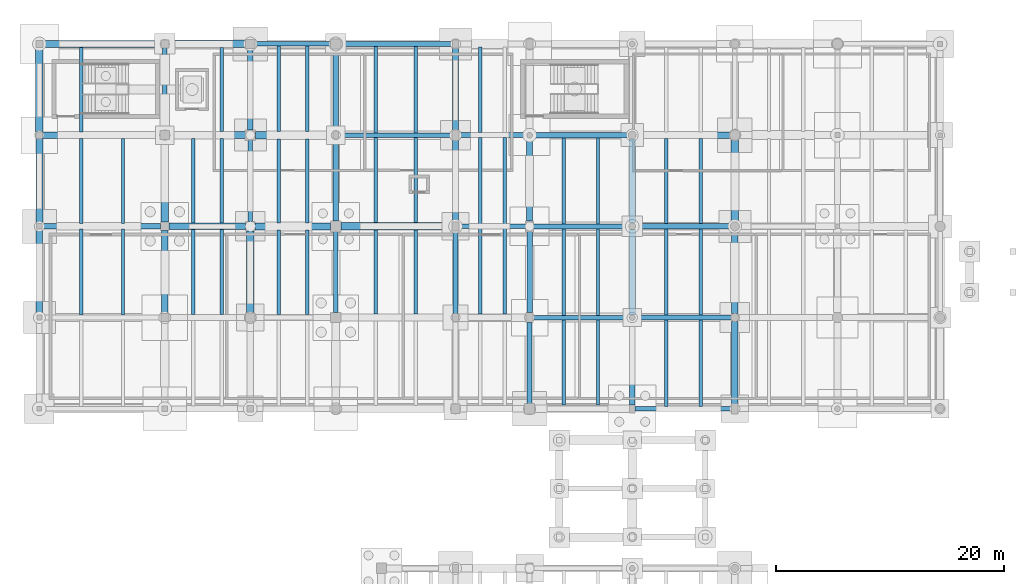
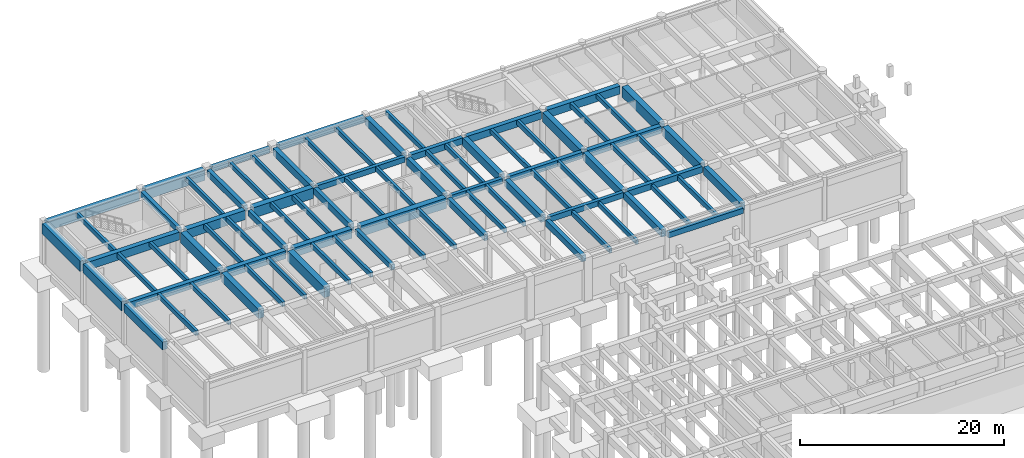
# One storey, part 24 of 36: 84 beams.
"""IFC4 building model written with IfcOpenShell, lengths in metres."""

from ifc_helpers import new_model, si_unit, direction, frame, origin, origin_2d, place, context, subcontext, project, spatial, rectangle, extrude, material, material_profile, profile_set, type_object, element, save


model = new_model("IFC4")

# Units and contexts
model_context = context("Model", 3, precision=1e-05, world=origin(), true_north=direction((0.0, 1.0)))
body_context = subcontext(model_context, "Body", "Model", "MODEL_VIEW")
ifc_project = project(units=[si_unit("LENGTHUNIT", "METRE"), si_unit("AREAUNIT", "SQUARE_METRE"), si_unit("VOLUMEUNIT", "CUBIC_METRE"), si_unit("PLANEANGLEUNIT", "RADIAN"), si_unit("MASSUNIT", "GRAM", prefix="KILO"), si_unit("THERMODYNAMICTEMPERATUREUNIT", "KELVIN"), si_unit("POWERUNIT", "WATT")], contexts=[model_context])

# Site, building, storey
site_placement = place(None, origin())
site = spatial("IfcSite", under=ifc_project, at=site_placement, CompositionType="ELEMENT")
building_placement = place(site_placement, origin())
building = spatial("IfcBuilding", under=site, at=building_placement, Name="Tepalcoro Natatorium and Aquatics Centre", CompositionType="ELEMENT")
storey_placement = place(building_placement, frame((0.0, 0.0, -5.199951171875)))
storey = spatial("IfcBuildingStorey", under=building, at=storey_placement, Name="B1", CompositionType="ELEMENT", Elevation=-5.199951171875)

# Beams
ifc_material = material(Name="Concrete C40/50 (fc 40 MPa)", Category="concrete")
ifc_material_profile_1 = material_profile(ifc_material, rectangle(XDim=0.39990234375, YDim=0.64990234375, at=origin_2d()), Name="RCB400x650")
ifc_profile_set_1 = profile_set([ifc_material_profile_1], Name="Concrete C40/50 (fc 40 MPa)")
beam_type_1 = type_object("IfcBeamType", Name="BM_RC_400x650", PredefinedType="BEAM", material=ifc_profile_set_1)
for number, where, z_axis, x_axis, name in (
    (1, (62.235107421875, 86.0, 4.43994140625), (1.0, 0.0, 0.0), (0.0, 1.0, 0.0), "V4 B1 Grid Girder X"),
    (2, (53.284912109375, 94.0, 4.599853515625), (1.0, 0.0, 0.0), (0.0, 1.0, 0.0), "V4 B1 Grid Girder X"),
):
    element("IfcBeam", number, at=place(storey_placement, frame(where, z_axis=z_axis, x_axis=x_axis)), inside=storey, type_object=beam_type_1, Name=name, PredefinedType="BEAM", context=body_context, shape_type="SweptSolid", body=[
        extrude(rectangle(XDim=0.39990234375, YDim=0.64990234375, at=origin_2d()), origin(), (0.0, 0.0, 1.0), 8.47998046875),
    ])
beam_1_placement = place(storey_placement, frame((46.784912109375, 102.0, 4.599853515625), z_axis=(1.0, 0.0, 0.0), x_axis=(0.0, 1.0, 0.0)))
element("IfcBeam", 3, at=beam_1_placement, inside=storey, type_object=beam_type_1, Name="V4 B1 Grid Girder X", PredefinedType="BEAM", context=body_context, shape_type="SweptSolid", body=[
    extrude(rectangle(XDim=0.39990234375, YDim=0.64990234375, at=origin_2d()), origin(), (0.0, 0.0, 1.0), 5.880126953125),
])
beam_2_placement = place(storey_placement, frame((36.235107421875, 110.0, 4.599853515625), z_axis=(1.0, 0.0, 0.0), x_axis=(0.0, 1.0, 0.0)))
element("IfcBeam", 4, at=beam_2_placement, inside=storey, type_object=beam_type_1, Name="V4 B1 Grid Girder X", PredefinedType="BEAM", context=body_context, shape_type="SweptSolid", body=[
    extrude(rectangle(XDim=0.39990234375, YDim=0.64990234375, at=origin_2d()), origin(), (0.0, 0.0, 1.0), 9.97998046875),
])
beam_3_placement = place(storey_placement, frame((28.885009765625, 118.0, 4.599853515625), z_axis=(1.0, 0.0, 0.0), x_axis=(0.0, 1.0, 0.0)))
element("IfcBeam", 5, at=beam_3_placement, inside=storey, type_object=beam_type_1, Name="V4 B1 Grid Girder X", PredefinedType="BEAM", context=body_context, shape_type="SweptSolid", body=[
    extrude(rectangle(XDim=0.39990234375, YDim=0.64990234375, at=origin_2d()), origin(), (0.0, 0.0, 1.0), 6.679931640625),
])
beam_4_placement = place(storey_placement, frame((21.0, 110.385009765625, 4.599853515625), z_axis=(0.0, 1.0, 0.0), x_axis=(-1.0, 0.0, 0.0)))
element("IfcBeam", 6, at=beam_4_placement, inside=storey, type_object=beam_type_1, Name="V4 B1 Grid Girder Y", PredefinedType="BEAM", context=body_context, shape_type="SweptSolid", body=[
    extrude(rectangle(XDim=0.39990234375, YDim=0.64990234375, at=origin_2d()), origin(), (0.0, 0.0, 1.0), 7.280029296875),
])
beam_5_placement = place(storey_placement, frame((28.5, 102.409912109375, 4.599853515625), z_axis=(0.0, 1.0, 0.0), x_axis=(-1.0, 0.0, 0.0)))
element("IfcBeam", 7, at=beam_5_placement, inside=storey, type_object=beam_type_1, Name="V4 B1 Grid Girder Y", PredefinedType="BEAM", context=body_context, shape_type="SweptSolid", body=[
    extrude(rectangle(XDim=0.39990234375, YDim=0.64990234375, at=origin_2d()), origin(), (0.0, 0.0, 1.0), 7.155029296875),
])
beam_6_placement = place(storey_placement, frame((36.0, 94.43505859375, 4.599853515625), z_axis=(0.0, 1.0, 0.0), x_axis=(-1.0, 0.0, 0.0)))
element("IfcBeam", 8, at=beam_6_placement, inside=storey, type_object=beam_type_1, Name="V4 B1 Grid Girder Y", PredefinedType="BEAM", context=body_context, shape_type="SweptSolid", body=[
    extrude(rectangle(XDim=0.39990234375, YDim=0.64990234375, at=origin_2d()), origin(), (0.0, 0.0, 1.0), 7.10498046875),
])
ifc_material_profile_2 = material_profile(ifc_material, rectangle(XDim=0.449951171875, YDim=0.75, at=origin_2d()), Name="RCB450x750")
ifc_profile_set_2 = profile_set([ifc_material_profile_2], Name="Concrete C40/50 (fc 40 MPa)")
beam_type_2 = type_object("IfcBeamType", Name="BM_RC_450x750", PredefinedType="BEAM", material=ifc_profile_set_2)
beam_7_placement = place(storey_placement, frame((62.235107421875, 94.0, 4.550048828125), z_axis=(1.0, 0.0, 0.0), x_axis=(0.0, 1.0, 0.0)))
element("IfcBeam", 9, at=beam_7_placement, inside=storey, type_object=beam_type_2, Name="V4 B1 Grid Girder X", PredefinedType="BEAM", context=body_context, shape_type="SweptSolid", body=[
    extrude(rectangle(XDim=0.449951171875, YDim=0.75, at=origin_2d()), origin(), (0.0, 0.0, 1.0), 8.429931640625),
])
beam_8_placement = place(storey_placement, frame((53.3349609375, 102.0, 4.550048828125), z_axis=(1.0, 0.0, 0.0), x_axis=(0.0, 1.0, 0.0)))
element("IfcBeam", 10, at=beam_8_placement, inside=storey, type_object=beam_type_2, Name="V4 B1 Grid Girder X", PredefinedType="BEAM", context=body_context, shape_type="SweptSolid", body=[
    extrude(rectangle(XDim=0.449951171875, YDim=0.75, at=origin_2d()), origin(), (0.0, 0.0, 1.0), 8.380126953125),
])
beam_9_placement = place(storey_placement, frame((46.784912109375, 110.0, 4.550048828125), z_axis=(1.0, 0.0, 0.0), x_axis=(0.0, 1.0, 0.0)))
element("IfcBeam", 11, at=beam_9_placement, inside=storey, type_object=beam_type_2, Name="V4 B1 Grid Girder X", PredefinedType="BEAM", context=body_context, shape_type="SweptSolid", body=[
    extrude(rectangle(XDim=0.449951171875, YDim=0.75, at=origin_2d()), origin(), (0.0, 0.0, 1.0), 5.97998046875),
])
beam_10_placement = place(storey_placement, frame((36.43505859375, 118.0, 4.550048828125), z_axis=(1.0, 0.0, 0.0), x_axis=(0.0, 1.0, 0.0)))
element("IfcBeam", 12, at=beam_10_placement, inside=storey, type_object=beam_type_2, Name="V4 B1 Grid Girder X", PredefinedType="BEAM", context=body_context, shape_type="SweptSolid", body=[
    extrude(rectangle(XDim=0.449951171875, YDim=0.75, at=origin_2d()), origin(), (0.0, 0.0, 1.0), 9.829833984375),
])
beam_11_placement = place(storey_placement, frame((28.5, 110.43505859375, 4.550048828125), z_axis=(0.0, 1.0, 0.0), x_axis=(-1.0, 0.0, 0.0)))
element("IfcBeam", 13, at=beam_11_placement, inside=storey, type_object=beam_type_2, Name="V4 B1 Grid Girder Y", PredefinedType="BEAM", context=body_context, shape_type="SweptSolid", body=[
    extrude(rectangle(XDim=0.449951171875, YDim=0.75, at=origin_2d()), origin(), (0.0, 0.0, 1.0), 7.179931640625),
])
beam_12_placement = place(storey_placement, frame((36.0, 102.4599609375, 4.550048828125), z_axis=(0.0, 1.0, 0.0), x_axis=(-1.0, 0.0, 0.0)))
element("IfcBeam", 14, at=beam_12_placement, inside=storey, type_object=beam_type_2, Name="V4 B1 Grid Girder Y", PredefinedType="BEAM", context=body_context, shape_type="SweptSolid", body=[
    extrude(rectangle(XDim=0.449951171875, YDim=0.75, at=origin_2d()), origin(), (0.0, 0.0, 1.0), 7.205078125),
])
beam_13_placement = place(storey_placement, frame((46.5, 94.3349609375, 4.550048828125), z_axis=(0.0, 1.0, 0.0), x_axis=(-1.0, 0.0, 0.0)))
element("IfcBeam", 15, at=beam_13_placement, inside=storey, type_object=beam_type_2, Name="V4 B1 Grid Girder Y", PredefinedType="BEAM", context=body_context, shape_type="SweptSolid", body=[
    extrude(rectangle(XDim=0.449951171875, YDim=0.75, at=origin_2d()), origin(), (0.0, 0.0, 1.0), 7.280029296875),
])
beam_14_placement = place(storey_placement, frame((53.0, 86.43505859375, 4.550048828125), z_axis=(0.0, 1.0, 0.0), x_axis=(-1.0, 0.0, 0.0)))
element("IfcBeam", 16, at=beam_14_placement, inside=storey, type_object=beam_type_2, Name="V4 B1 Grid Girder Y", PredefinedType="BEAM", context=body_context, shape_type="SweptSolid", body=[
    extrude(rectangle(XDim=0.449951171875, YDim=0.75, at=origin_2d()), origin(), (0.0, 0.0, 1.0), 7.1298828125),
])
ifc_material_profile_3 = material_profile(ifc_material, rectangle(XDim=0.5, YDim=0.85009765625, at=origin_2d()), Name="RCB500x850")
ifc_profile_set_3 = profile_set([ifc_material_profile_3], Name="Concrete C40/50 (fc 40 MPa)")
beam_type_3 = type_object("IfcBeamType", Name="BM_RC_500x850", PredefinedType="BEAM", material=ifc_profile_set_3)
beam_15_placement = place(storey_placement, frame((10.235107421875, 102.0, 4.5), z_axis=(1.0, 0.0, 0.0), x_axis=(0.0, 1.0, 0.0)))
element("IfcBeam", 17, at=beam_15_placement, inside=storey, type_object=beam_type_3, Name="V4 B1 Grid Girder X", PredefinedType="BEAM", context=body_context, shape_type="SweptSolid", body=[
    extrude(rectangle(XDim=0.5, YDim=0.85009765625, at=origin_2d()), origin(), (0.0, 0.0, 1.0), 10.40478515625),
])
beam_16_placement = place(storey_placement, frame((62.284912109375, 102.0, 4.5), z_axis=(1.0, 0.0, 0.0), x_axis=(0.0, 1.0, 0.0)))
element("IfcBeam", 18, at=beam_16_placement, inside=storey, type_object=beam_type_3, Name="V4 B1 Grid Girder X", PredefinedType="BEAM", context=body_context, shape_type="SweptSolid", body=[
    extrude(rectangle(XDim=0.5, YDim=0.85009765625, at=origin_2d()), origin(), (0.0, 0.0, 1.0), 8.330078125),
])
beam_17_placement = place(storey_placement, frame((53.235107421875, 110.0, 4.5), z_axis=(1.0, 0.0, 0.0), x_axis=(0.0, 1.0, 0.0)))
element("IfcBeam", 19, at=beam_17_placement, inside=storey, type_object=beam_type_3, Name="V4 B1 Grid Girder X", PredefinedType="BEAM", context=body_context, shape_type="SweptSolid", body=[
    extrude(rectangle(XDim=0.5, YDim=0.85009765625, at=origin_2d()), origin(), (0.0, 0.0, 1.0), 8.429931640625),
])
beam_18_placement = place(storey_placement, frame((36.0, 110.3349609375, 4.5), z_axis=(0.0, 1.0, 0.0), x_axis=(-1.0, 0.0, 0.0)))
element("IfcBeam", 20, at=beam_18_placement, inside=storey, type_object=beam_type_3, Name="V4 B1 Grid Girder Y", PredefinedType="BEAM", context=body_context, shape_type="SweptSolid", body=[
    extrude(rectangle(XDim=0.5, YDim=0.85009765625, at=origin_2d()), origin(), (0.0, 0.0, 1.0), 7.22998046875),
])
beam_19_placement = place(storey_placement, frame((46.5, 102.385009765625, 4.5), z_axis=(0.0, 1.0, 0.0), x_axis=(-1.0, 0.0, 0.0)))
element("IfcBeam", 21, at=beam_19_placement, inside=storey, type_object=beam_type_3, Name="V4 B1 Grid Girder Y", PredefinedType="BEAM", context=body_context, shape_type="SweptSolid", body=[
    extrude(rectangle(XDim=0.5, YDim=0.85009765625, at=origin_2d()), origin(), (0.0, 0.0, 1.0), 7.179931640625),
])
beam_20_placement = place(storey_placement, frame((53.0, 94.43505859375, 4.5), z_axis=(0.0, 1.0, 0.0), x_axis=(-1.0, 0.0, 0.0)))
element("IfcBeam", 22, at=beam_20_placement, inside=storey, type_object=beam_type_3, Name="V4 B1 Grid Girder Y", PredefinedType="BEAM", context=body_context, shape_type="SweptSolid", body=[
    extrude(rectangle(XDim=0.5, YDim=0.85009765625, at=origin_2d()), origin(), (0.0, 0.0, 1.0), 7.10498046875),
])
beam_21_placement = place(storey_placement, frame((62.0, 86.3349609375, 4.5), z_axis=(0.0, 1.0, 0.0), x_axis=(-1.0, 0.0, 0.0)))
element("IfcBeam", 23, at=beam_21_placement, inside=storey, type_object=beam_type_3, Name="V4 B1 Grid Girder Y", PredefinedType="BEAM", context=body_context, shape_type="SweptSolid", body=[
    extrude(rectangle(XDim=0.5, YDim=0.85009765625, at=origin_2d()), origin(), (0.0, 0.0, 1.0), 7.429931640625),
])
ifc_material_profile_4 = material_profile(ifc_material, rectangle(XDim=0.550048828125, YDim=0.949951171875, at=origin_2d()), Name="RCB550x950")
ifc_profile_set_4 = profile_set([ifc_material_profile_4], Name="Concrete C40/50 (fc 40 MPa)")
beam_type_4 = type_object("IfcBeamType", Name="BM_RC_550x950", PredefinedType="BEAM", material=ifc_profile_set_4)
beam_22_placement = place(storey_placement, frame((21.360107421875, 102.0, 4.449951171875), z_axis=(1.0, 0.0, 0.0), x_axis=(0.0, 1.0, 0.0)))
element("IfcBeam", 24, at=beam_22_placement, inside=storey, type_object=beam_type_4, Name="V4 B1 Grid Girder X", PredefinedType="BEAM", context=body_context, shape_type="SweptSolid", body=[
    extrude(rectangle(XDim=0.550048828125, YDim=0.949951171875, at=origin_2d()), origin(), (0.0, 0.0, 1.0), 6.72998046875),
])
beam_23_placement = place(storey_placement, frame((10.260009765625, 110.0, 4.449951171875), z_axis=(1.0, 0.0, 0.0), x_axis=(0.0, 1.0, 0.0)))
element("IfcBeam", 25, at=beam_23_placement, inside=storey, type_object=beam_type_4, Name="V4 B1 Grid Girder X", PredefinedType="BEAM", context=body_context, shape_type="SweptSolid", body=[
    extrude(rectangle(XDim=0.550048828125, YDim=0.949951171875, at=origin_2d()), origin(), (0.0, 0.0, 1.0), 10.35498046875),
])
beam_24_placement = place(storey_placement, frame((62.3349609375, 110.0, 4.449951171875), z_axis=(1.0, 0.0, 0.0), x_axis=(0.0, 1.0, 0.0)))
element("IfcBeam", 26, at=beam_24_placement, inside=storey, type_object=beam_type_4, Name="V4 B1 Grid Girder X", PredefinedType="BEAM", context=body_context, shape_type="SweptSolid", body=[
    extrude(rectangle(XDim=0.550048828125, YDim=0.949951171875, at=origin_2d()), origin(), (0.0, 0.0, 1.0), 8.22998046875),
])
beam_25_placement = place(storey_placement, frame((10.0, 94.2099609375, 4.449951171875), z_axis=(0.0, 1.0, 0.0), x_axis=(-1.0, 0.0, 0.0)))
element("IfcBeam", 27, at=beam_25_placement, inside=storey, type_object=beam_type_4, Name="V4 B1 Grid Girder Y", PredefinedType="BEAM", context=body_context, shape_type="SweptSolid", body=[
    extrude(rectangle(XDim=0.550048828125, YDim=0.949951171875, at=origin_2d()), origin(), (0.0, 0.0, 1.0), 7.554931640625),
])
beam_26_placement = place(storey_placement, frame((46.5, 110.43505859375, 4.449951171875), z_axis=(0.0, 1.0, 0.0), x_axis=(-1.0, 0.0, 0.0)))
element("IfcBeam", 28, at=beam_26_placement, inside=storey, type_object=beam_type_4, Name="V4 B1 Grid Girder Y", PredefinedType="BEAM", context=body_context, shape_type="SweptSolid", body=[
    extrude(rectangle(XDim=0.550048828125, YDim=0.949951171875, at=origin_2d()), origin(), (0.0, 0.0, 1.0), 7.22998046875),
])
beam_27_placement = place(storey_placement, frame((53.0, 102.4599609375, 4.449951171875), z_axis=(0.0, 1.0, 0.0), x_axis=(-1.0, 0.0, 0.0)))
element("IfcBeam", 29, at=beam_27_placement, inside=storey, type_object=beam_type_4, Name="V4 B1 Grid Girder Y", PredefinedType="BEAM", context=body_context, shape_type="SweptSolid", body=[
    extrude(rectangle(XDim=0.550048828125, YDim=0.949951171875, at=origin_2d()), origin(), (0.0, 0.0, 1.0), 7.304931640625),
])
beam_28_placement = place(storey_placement, frame((62.0, 94.235107421875, 4.449951171875), z_axis=(0.0, 1.0, 0.0), x_axis=(-1.0, 0.0, 0.0)))
element("IfcBeam", 30, at=beam_28_placement, inside=storey, type_object=beam_type_4, Name="V4 B1 Grid Girder Y", PredefinedType="BEAM", context=body_context, shape_type="SweptSolid", body=[
    extrude(rectangle(XDim=0.550048828125, YDim=0.949951171875, at=origin_2d()), origin(), (0.0, 0.0, 1.0), 7.47998046875),
])
beam_29_placement = place(storey_placement, frame((71.0, 86.43505859375, 4.449951171875), z_axis=(0.0, 1.0, 0.0), x_axis=(-1.0, 0.0, 0.0)))
element("IfcBeam", 31, at=beam_29_placement, inside=storey, type_object=beam_type_4, Name="V4 B1 Grid Girder Y", PredefinedType="BEAM", context=body_context, shape_type="SweptSolid", body=[
    extrude(rectangle(XDim=0.550048828125, YDim=0.949951171875, at=origin_2d()), origin(), (0.0, 0.0, 1.0), 7.22998046875),
])
ifc_material_profile_5 = material_profile(ifc_material, rectangle(XDim=0.60009765625, YDim=1.10009765625, at=origin_2d()), Name="RCB600x1100")
ifc_profile_set_5 = profile_set([ifc_material_profile_5], Name="Concrete C40/50 (fc 40 MPa)")
beam_type_5 = type_object("IfcBeamType", Name="BM_RC_600x1100", PredefinedType="BEAM", material=ifc_profile_set_5)
beam_30_placement = place(storey_placement, frame((28.909912109375, 102.0, 4.375), z_axis=(1.0, 0.0, 0.0), x_axis=(0.0, 1.0, 0.0)))
element("IfcBeam", 32, at=beam_30_placement, inside=storey, type_object=beam_type_5, Name="V4 B1 Grid Girder X", PredefinedType="BEAM", context=body_context, shape_type="SweptSolid", body=[
    extrude(rectangle(XDim=0.60009765625, YDim=1.10009765625, at=origin_2d()), origin(), (0.0, 0.0, 1.0), 6.630126953125),
])
beam_31_placement = place(storey_placement, frame((21.385009765625, 110.0, 4.375), z_axis=(1.0, 0.0, 0.0), x_axis=(0.0, 1.0, 0.0)))
element("IfcBeam", 33, at=beam_31_placement, inside=storey, type_object=beam_type_5, Name="V4 B1 Grid Girder X", PredefinedType="BEAM", context=body_context, shape_type="SweptSolid", body=[
    extrude(rectangle(XDim=0.60009765625, YDim=1.10009765625, at=origin_2d()), origin(), (0.0, 0.0, 1.0), 6.679931640625),
])
beam_32_placement = place(storey_placement, frame((10.284912109375, 118.0, 4.375), z_axis=(1.0, 0.0, 0.0), x_axis=(0.0, 1.0, 0.0)))
element("IfcBeam", 34, at=beam_32_placement, inside=storey, type_object=beam_type_5, Name="V4 B1 Grid Girder X", PredefinedType="BEAM", context=body_context, shape_type="SweptSolid", body=[
    extrude(rectangle(XDim=0.60009765625, YDim=1.10009765625, at=origin_2d()), origin(), (0.0, 0.0, 1.0), 10.380126953125),
])
beam_33_placement = place(storey_placement, frame((10.0, 102.235107421875, 4.375), z_axis=(0.0, 1.0, 0.0), x_axis=(-1.0, 0.0, 0.0)))
element("IfcBeam", 35, at=beam_33_placement, inside=storey, type_object=beam_type_5, Name="V4 B1 Grid Girder Y", PredefinedType="BEAM", context=body_context, shape_type="SweptSolid", body=[
    extrude(rectangle(XDim=0.60009765625, YDim=1.10009765625, at=origin_2d()), origin(), (0.0, 0.0, 1.0), 7.5048828125),
])
beam_34_placement = place(storey_placement, frame((21.0, 94.3349609375, 4.375), z_axis=(0.0, 1.0, 0.0), x_axis=(-1.0, 0.0, 0.0)))
element("IfcBeam", 36, at=beam_34_placement, inside=storey, type_object=beam_type_5, Name="V4 B1 Grid Girder Y", PredefinedType="BEAM", context=body_context, shape_type="SweptSolid", body=[
    extrude(rectangle(XDim=0.60009765625, YDim=1.10009765625, at=origin_2d()), origin(), (0.0, 0.0, 1.0), 7.304931640625),
])
beam_35_placement = place(storey_placement, frame((62.0, 102.284912109375, 4.375), z_axis=(0.0, 1.0, 0.0), x_axis=(-1.0, 0.0, 0.0)))
element("IfcBeam", 37, at=beam_35_placement, inside=storey, type_object=beam_type_5, Name="V4 B1 Grid Girder Y", PredefinedType="BEAM", context=body_context, shape_type="SweptSolid", body=[
    extrude(rectangle(XDim=0.60009765625, YDim=1.10009765625, at=origin_2d()), origin(), (0.0, 0.0, 1.0), 7.380126953125),
])
beam_36_placement = place(storey_placement, frame((71.0, 94.3349609375, 4.375), z_axis=(0.0, 1.0, 0.0), x_axis=(-1.0, 0.0, 0.0)))
element("IfcBeam", 38, at=beam_36_placement, inside=storey, type_object=beam_type_5, Name="V4 B1 Grid Girder Y", PredefinedType="BEAM", context=body_context, shape_type="SweptSolid", body=[
    extrude(rectangle(XDim=0.60009765625, YDim=1.10009765625, at=origin_2d()), origin(), (0.0, 0.0, 1.0), 7.280029296875),
])
ifc_material_profile_6 = material_profile(ifc_material, rectangle(XDim=0.64990234375, YDim=1.25, at=origin_2d()), Name="RCB650x1250")
ifc_profile_set_6 = profile_set([ifc_material_profile_6], Name="Concrete C40/50 (fc 40 MPa)")
beam_type_6 = type_object("IfcBeamType", Name="BM_RC_650x1250", PredefinedType="BEAM", material=ifc_profile_set_6)
beam_37_placement = place(storey_placement, frame((36.4599609375, 102.0, 4.300048828125), z_axis=(1.0, 0.0, 0.0), x_axis=(0.0, 1.0, 0.0)))
element("IfcBeam", 39, at=beam_37_placement, inside=storey, type_object=beam_type_6, Name="V4 B1 Grid Girder X", PredefinedType="BEAM", context=body_context, shape_type="SweptSolid", body=[
    extrude(rectangle(XDim=0.64990234375, YDim=1.25, at=origin_2d()), origin(), (0.0, 0.0, 1.0), 9.755126953125),
])
beam_38_placement = place(storey_placement, frame((28.93505859375, 110.0, 4.300048828125), z_axis=(1.0, 0.0, 0.0), x_axis=(0.0, 1.0, 0.0)))
element("IfcBeam", 40, at=beam_38_placement, inside=storey, type_object=beam_type_6, Name="V4 B1 Grid Girder X", PredefinedType="BEAM", context=body_context, shape_type="SweptSolid", body=[
    extrude(rectangle(XDim=0.64990234375, YDim=1.25, at=origin_2d()), origin(), (0.0, 0.0, 1.0), 6.829833984375),
])
beam_39_placement = place(storey_placement, frame((21.3349609375, 118.0, 4.300048828125), z_axis=(1.0, 0.0, 0.0), x_axis=(0.0, 1.0, 0.0)))
element("IfcBeam", 41, at=beam_39_placement, inside=storey, type_object=beam_type_6, Name="V4 B1 Grid Girder X", PredefinedType="BEAM", context=body_context, shape_type="SweptSolid", body=[
    extrude(rectangle(XDim=0.64990234375, YDim=1.25, at=origin_2d()), origin(), (0.0, 0.0, 1.0), 6.780029296875),
])
beam_40_placement = place(storey_placement, frame((10.0, 110.260009765625, 4.300048828125), z_axis=(0.0, 1.0, 0.0), x_axis=(-1.0, 0.0, 0.0)))
element("IfcBeam", 42, at=beam_40_placement, inside=storey, type_object=beam_type_6, Name="V4 B1 Grid Girder Y", PredefinedType="BEAM", context=body_context, shape_type="SweptSolid", body=[
    extrude(rectangle(XDim=0.64990234375, YDim=1.25, at=origin_2d()), origin(), (0.0, 0.0, 1.0), 7.455078125),
])
beam_41_placement = place(storey_placement, frame((21.0, 102.360107421875, 4.300048828125), z_axis=(0.0, 1.0, 0.0), x_axis=(-1.0, 0.0, 0.0)))
element("IfcBeam", 43, at=beam_41_placement, inside=storey, type_object=beam_type_6, Name="V4 B1 Grid Girder Y", PredefinedType="BEAM", context=body_context, shape_type="SweptSolid", body=[
    extrude(rectangle(XDim=0.64990234375, YDim=1.25, at=origin_2d()), origin(), (0.0, 0.0, 1.0), 7.2548828125),
])
beam_42_placement = place(storey_placement, frame((28.5, 94.385009765625, 4.300048828125), z_axis=(0.0, 1.0, 0.0), x_axis=(-1.0, 0.0, 0.0)))
element("IfcBeam", 44, at=beam_42_placement, inside=storey, type_object=beam_type_6, Name="V4 B1 Grid Girder Y", PredefinedType="BEAM", context=body_context, shape_type="SweptSolid", body=[
    extrude(rectangle(XDim=0.64990234375, YDim=1.25, at=origin_2d()), origin(), (0.0, 0.0, 1.0), 7.205078125),
])
beam_43_placement = place(storey_placement, frame((71.0, 102.385009765625, 4.300048828125), z_axis=(0.0, 1.0, 0.0), x_axis=(-1.0, 0.0, 0.0)))
element("IfcBeam", 45, at=beam_43_placement, inside=storey, type_object=beam_type_6, Name="V4 B1 Grid Girder Y", PredefinedType="BEAM", context=body_context, shape_type="SweptSolid", body=[
    extrude(rectangle(XDim=0.64990234375, YDim=1.25, at=origin_2d()), origin(), (0.0, 0.0, 1.0), 7.179931640625),
])
ifc_material_profile_7 = material_profile(ifc_material, rectangle(XDim=0.300048828125, YDim=0.550048828125, at=origin_2d()), Name="RCJ300x550")
ifc_profile_set_7 = profile_set([ifc_material_profile_7], Name="Concrete C40/50 (fc 40 MPa)")
beam_type_7 = type_object("IfcBeamType", Name="JS_RC_300x550", PredefinedType="JOIST", material=ifc_profile_set_7)
for number, where, z_axis, x_axis, name in (
    (46, (13.666748046875, 94.22509765625, 4.64990234375), (0.0, 1.0, 0.0), (-1.0, 0.0, 0.0), "V4 B1 Floor Joist"),
    (47, (17.333251953125, 94.22509765625, 4.64990234375), (0.0, 1.0, 0.0), (-1.0, 0.0, 0.0), "V4 B1 Floor Joist"),
):
    element("IfcBeam", number, at=place(storey_placement, frame(where, z_axis=z_axis, x_axis=x_axis)), inside=storey, type_object=beam_type_7, Name=name, PredefinedType="JOIST", context=body_context, shape_type="SweptSolid", body=[
        extrude(rectangle(XDim=0.300048828125, YDim=0.550048828125, at=origin_2d()), origin(), (0.0, 0.0, 1.0), 7.52490234375),
    ])
for number, where, z_axis, x_axis, name in (
    (48, (13.666748046875, 102.25, 4.64990234375), (0.0, 1.0, 0.0), (-1.0, 0.0, 0.0), "V4 B1 Floor Joist"),
    (49, (17.333251953125, 102.25, 4.64990234375), (0.0, 1.0, 0.0), (-1.0, 0.0, 0.0), "V4 B1 Floor Joist"),
):
    element("IfcBeam", number, at=place(storey_placement, frame(where, z_axis=z_axis, x_axis=x_axis)), inside=storey, type_object=beam_type_7, Name=name, PredefinedType="JOIST", context=body_context, shape_type="SweptSolid", body=[
        extrude(rectangle(XDim=0.300048828125, YDim=0.550048828125, at=origin_2d()), origin(), (0.0, 0.0, 1.0), 7.47509765625),
    ])
beam_44_placement = place(storey_placement, frame((13.666748046875, 110.27490234375, 4.64990234375), z_axis=(0.0, 1.0, 0.0), x_axis=(-1.0, 0.0, 0.0)))
element("IfcBeam", 50, at=beam_44_placement, inside=storey, type_object=beam_type_7, Name="V4 B1 Floor Joist", PredefinedType="JOIST", context=body_context, shape_type="SweptSolid", body=[
    extrude(rectangle(XDim=0.300048828125, YDim=0.550048828125, at=origin_2d()), origin(), (0.0, 0.0, 1.0), 7.425048828125),
])
for number, where, z_axis, x_axis, name in (
    (51, (23.5, 94.25, 4.64990234375), (0.0, 1.0, 0.0), (-1.0, 0.0, 0.0), "V4 B1 Floor Joist"),
    (52, (26.0, 94.25, 4.64990234375), (0.0, 1.0, 0.0), (-1.0, 0.0, 0.0), "V4 B1 Floor Joist"),
):
    element("IfcBeam", number, at=place(storey_placement, frame(where, z_axis=z_axis, x_axis=x_axis)), inside=storey, type_object=beam_type_7, Name=name, PredefinedType="JOIST", context=body_context, shape_type="SweptSolid", body=[
        extrude(rectangle(XDim=0.300048828125, YDim=0.550048828125, at=origin_2d()), origin(), (0.0, 0.0, 1.0), 7.47509765625),
    ])
for number, where, z_axis, x_axis, name in (
    (53, (23.5, 102.27490234375, 4.64990234375), (0.0, 1.0, 0.0), (-1.0, 0.0, 0.0), "V4 B1 Floor Joist"),
    (54, (26.0, 102.27490234375, 4.64990234375), (0.0, 1.0, 0.0), (-1.0, 0.0, 0.0), "V4 B1 Floor Joist"),
):
    element("IfcBeam", number, at=place(storey_placement, frame(where, z_axis=z_axis, x_axis=x_axis)), inside=storey, type_object=beam_type_7, Name=name, PredefinedType="JOIST", context=body_context, shape_type="SweptSolid", body=[
        extrude(rectangle(XDim=0.300048828125, YDim=0.550048828125, at=origin_2d()), origin(), (0.0, 0.0, 1.0), 7.425048828125),
    ])
beam_45_placement = place(storey_placement, frame((26.0, 110.300048828125, 4.64990234375), z_axis=(0.0, 1.0, 0.0), x_axis=(-1.0, 0.0, 0.0)))
element("IfcBeam", 55, at=beam_45_placement, inside=storey, type_object=beam_type_7, Name="V4 B1 Floor Joist", PredefinedType="JOIST", context=body_context, shape_type="SweptSolid", body=[
    extrude(rectangle(XDim=0.300048828125, YDim=0.550048828125, at=origin_2d()), origin(), (0.0, 0.0, 1.0), 7.375),
])
for number, where, z_axis, x_axis, name in (
    (56, (31.0, 94.27490234375, 4.64990234375), (0.0, 1.0, 0.0), (-1.0, 0.0, 0.0), "V4 B1 Floor Joist"),
    (57, (33.5, 94.27490234375, 4.64990234375), (0.0, 1.0, 0.0), (-1.0, 0.0, 0.0), "V4 B1 Floor Joist"),
):
    element("IfcBeam", number, at=place(storey_placement, frame(where, z_axis=z_axis, x_axis=x_axis)), inside=storey, type_object=beam_type_7, Name=name, PredefinedType="JOIST", context=body_context, shape_type="SweptSolid", body=[
        extrude(rectangle(XDim=0.300048828125, YDim=0.550048828125, at=origin_2d()), origin(), (0.0, 0.0, 1.0), 7.425048828125),
    ])
for number, where, z_axis, x_axis, name in (
    (58, (31.0, 102.300048828125, 4.64990234375), (0.0, 1.0, 0.0), (-1.0, 0.0, 0.0), "V4 B1 Floor Joist"),
    (59, (33.5, 102.300048828125, 4.64990234375), (0.0, 1.0, 0.0), (-1.0, 0.0, 0.0), "V4 B1 Floor Joist"),
):
    element("IfcBeam", number, at=place(storey_placement, frame(where, z_axis=z_axis, x_axis=x_axis)), inside=storey, type_object=beam_type_7, Name=name, PredefinedType="JOIST", context=body_context, shape_type="SweptSolid", body=[
        extrude(rectangle(XDim=0.300048828125, YDim=0.550048828125, at=origin_2d()), origin(), (0.0, 0.0, 1.0), 7.375),
    ])
for number, where, z_axis, x_axis, name in (
    (60, (31.0, 110.324951171875, 4.64990234375), (0.0, 1.0, 0.0), (-1.0, 0.0, 0.0), "V4 B1 Floor Joist"),
    (61, (33.5, 110.324951171875, 4.64990234375), (0.0, 1.0, 0.0), (-1.0, 0.0, 0.0), "V4 B1 Floor Joist"),
):
    element("IfcBeam", number, at=place(storey_placement, frame(where, z_axis=z_axis, x_axis=x_axis)), inside=storey, type_object=beam_type_7, Name=name, PredefinedType="JOIST", context=body_context, shape_type="SweptSolid", body=[
        extrude(rectangle(XDim=0.300048828125, YDim=0.550048828125, at=origin_2d()), origin(), (0.0, 0.0, 1.0), 7.47509765625),
    ])
for number, where, z_axis, x_axis, name in (
    (62, (39.5, 94.300048828125, 4.64990234375), (0.0, 1.0, 0.0), (-1.0, 0.0, 0.0), "V4 B1 Floor Joist"),
    (63, (43.0, 94.300048828125, 4.64990234375), (0.0, 1.0, 0.0), (-1.0, 0.0, 0.0), "V4 B1 Floor Joist"),
):
    element("IfcBeam", number, at=place(storey_placement, frame(where, z_axis=z_axis, x_axis=x_axis)), inside=storey, type_object=beam_type_7, Name=name, PredefinedType="JOIST", context=body_context, shape_type="SweptSolid", body=[
        extrude(rectangle(XDim=0.300048828125, YDim=0.550048828125, at=origin_2d()), origin(), (0.0, 0.0, 1.0), 7.375),
    ])
for number, where, z_axis, x_axis, name in (
    (64, (39.5, 102.324951171875, 4.64990234375), (0.0, 1.0, 0.0), (-1.0, 0.0, 0.0), "V4 B1 Floor Joist"),
    (65, (43.0, 102.324951171875, 4.64990234375), (0.0, 1.0, 0.0), (-1.0, 0.0, 0.0), "V4 B1 Floor Joist"),
):
    element("IfcBeam", number, at=place(storey_placement, frame(where, z_axis=z_axis, x_axis=x_axis)), inside=storey, type_object=beam_type_7, Name=name, PredefinedType="JOIST", context=body_context, shape_type="SweptSolid", body=[
        extrude(rectangle(XDim=0.300048828125, YDim=0.550048828125, at=origin_2d()), origin(), (0.0, 0.0, 1.0), 7.47509765625),
    ])
for number, where, z_axis, x_axis, name in (
    (66, (39.5, 110.199951171875, 4.64990234375), (0.0, 1.0, 0.0), (-1.0, 0.0, 0.0), "V4 B1 Floor Joist"),
    (67, (43.0, 110.199951171875, 4.64990234375), (0.0, 1.0, 0.0), (-1.0, 0.0, 0.0), "V4 B1 Floor Joist"),
):
    element("IfcBeam", number, at=place(storey_placement, frame(where, z_axis=z_axis, x_axis=x_axis)), inside=storey, type_object=beam_type_7, Name=name, PredefinedType="JOIST", context=body_context, shape_type="SweptSolid", body=[
        extrude(rectangle(XDim=0.300048828125, YDim=0.550048828125, at=origin_2d()), origin(), (0.0, 0.0, 1.0), 7.574951171875),
    ])
for number, where, z_axis, x_axis, name in (
    (68, (48.666748046875, 94.324951171875, 4.64990234375), (0.0, 1.0, 0.0), (-1.0, 0.0, 0.0), "V4 B1 Floor Joist"),
    (69, (50.833251953125, 94.324951171875, 4.64990234375), (0.0, 1.0, 0.0), (-1.0, 0.0, 0.0), "V4 B1 Floor Joist"),
):
    element("IfcBeam", number, at=place(storey_placement, frame(where, z_axis=z_axis, x_axis=x_axis)), inside=storey, type_object=beam_type_7, Name=name, PredefinedType="JOIST", context=body_context, shape_type="SweptSolid", body=[
        extrude(rectangle(XDim=0.300048828125, YDim=0.550048828125, at=origin_2d()), origin(), (0.0, 0.0, 1.0), 7.47509765625),
    ])
for number, where, z_axis, x_axis, name in (
    (70, (48.666748046875, 102.199951171875, 4.64990234375), (0.0, 1.0, 0.0), (-1.0, 0.0, 0.0), "V4 B1 Floor Joist"),
    (71, (50.833251953125, 102.199951171875, 4.64990234375), (0.0, 1.0, 0.0), (-1.0, 0.0, 0.0), "V4 B1 Floor Joist"),
):
    element("IfcBeam", number, at=place(storey_placement, frame(where, z_axis=z_axis, x_axis=x_axis)), inside=storey, type_object=beam_type_7, Name=name, PredefinedType="JOIST", context=body_context, shape_type="SweptSolid", body=[
        extrude(rectangle(XDim=0.300048828125, YDim=0.550048828125, at=origin_2d()), origin(), (0.0, 0.0, 1.0), 7.574951171875),
    ])
beam_46_placement = place(storey_placement, frame((48.666748046875, 110.22509765625, 4.64990234375), z_axis=(0.0, 1.0, 0.0), x_axis=(-1.0, 0.0, 0.0)))
element("IfcBeam", 72, at=beam_46_placement, inside=storey, type_object=beam_type_7, Name="V4 B1 Floor Joist", PredefinedType="JOIST", context=body_context, shape_type="SweptSolid", body=[
    extrude(rectangle(XDim=0.300048828125, YDim=0.550048828125, at=origin_2d()), origin(), (0.0, 0.0, 1.0), 7.52490234375),
])
for number, where, z_axis, x_axis, name in (
    (73, (56.0, 86.324951171875, 4.489990234375), (0.0, 1.0, 0.0), (-1.0, 0.0, 0.0), "V4 B1 Floor Joist"),
    (74, (59.0, 86.324951171875, 4.489990234375), (0.0, 1.0, 0.0), (-1.0, 0.0, 0.0), "V4 B1 Floor Joist"),
):
    element("IfcBeam", number, at=place(storey_placement, frame(where, z_axis=z_axis, x_axis=x_axis)), inside=storey, type_object=beam_type_7, Name=name, PredefinedType="JOIST", context=body_context, shape_type="SweptSolid", body=[
        extrude(rectangle(XDim=0.300048828125, YDim=0.550048828125, at=origin_2d()), origin(), (0.0, 0.0, 1.0), 7.47509765625),
    ])
for number, where, z_axis, x_axis, name in (
    (75, (56.0, 94.199951171875, 4.64990234375), (0.0, 1.0, 0.0), (-1.0, 0.0, 0.0), "V4 B1 Floor Joist"),
    (76, (59.0, 94.199951171875, 4.64990234375), (0.0, 1.0, 0.0), (-1.0, 0.0, 0.0), "V4 B1 Floor Joist"),
):
    element("IfcBeam", number, at=place(storey_placement, frame(where, z_axis=z_axis, x_axis=x_axis)), inside=storey, type_object=beam_type_7, Name=name, PredefinedType="JOIST", context=body_context, shape_type="SweptSolid", body=[
        extrude(rectangle(XDim=0.300048828125, YDim=0.550048828125, at=origin_2d()), origin(), (0.0, 0.0, 1.0), 7.574951171875),
    ])
for number, where, z_axis, x_axis, name in (
    (77, (56.0, 102.22509765625, 4.64990234375), (0.0, 1.0, 0.0), (-1.0, 0.0, 0.0), "V4 B1 Floor Joist"),
    (78, (59.0, 102.22509765625, 4.64990234375), (0.0, 1.0, 0.0), (-1.0, 0.0, 0.0), "V4 B1 Floor Joist"),
):
    element("IfcBeam", number, at=place(storey_placement, frame(where, z_axis=z_axis, x_axis=x_axis)), inside=storey, type_object=beam_type_7, Name=name, PredefinedType="JOIST", context=body_context, shape_type="SweptSolid", body=[
        extrude(rectangle(XDim=0.300048828125, YDim=0.550048828125, at=origin_2d()), origin(), (0.0, 0.0, 1.0), 7.52490234375),
    ])
for number, where, z_axis, x_axis, name in (
    (79, (65.0, 86.199951171875, 4.489990234375), (0.0, 1.0, 0.0), (-1.0, 0.0, 0.0), "V4 B1 Floor Joist"),
    (80, (68.0, 86.199951171875, 4.489990234375), (0.0, 1.0, 0.0), (-1.0, 0.0, 0.0), "V4 B1 Floor Joist"),
):
    element("IfcBeam", number, at=place(storey_placement, frame(where, z_axis=z_axis, x_axis=x_axis)), inside=storey, type_object=beam_type_7, Name=name, PredefinedType="JOIST", context=body_context, shape_type="SweptSolid", body=[
        extrude(rectangle(XDim=0.300048828125, YDim=0.550048828125, at=origin_2d()), origin(), (0.0, 0.0, 1.0), 7.574951171875),
    ])
for number, where, z_axis, x_axis, name in (
    (81, (65.0, 94.22509765625, 4.64990234375), (0.0, 1.0, 0.0), (-1.0, 0.0, 0.0), "V4 B1 Floor Joist"),
    (82, (68.0, 94.22509765625, 4.64990234375), (0.0, 1.0, 0.0), (-1.0, 0.0, 0.0), "V4 B1 Floor Joist"),
):
    element("IfcBeam", number, at=place(storey_placement, frame(where, z_axis=z_axis, x_axis=x_axis)), inside=storey, type_object=beam_type_7, Name=name, PredefinedType="JOIST", context=body_context, shape_type="SweptSolid", body=[
        extrude(rectangle(XDim=0.300048828125, YDim=0.550048828125, at=origin_2d()), origin(), (0.0, 0.0, 1.0), 7.52490234375),
    ])
for number, where, z_axis, x_axis, name in (
    (83, (65.0, 102.25, 4.64990234375), (0.0, 1.0, 0.0), (-1.0, 0.0, 0.0), "V4 B1 Floor Joist"),
    (84, (68.0, 102.25, 4.64990234375), (0.0, 1.0, 0.0), (-1.0, 0.0, 0.0), "V4 B1 Floor Joist"),
):
    element("IfcBeam", number, at=place(storey_placement, frame(where, z_axis=z_axis, x_axis=x_axis)), inside=storey, type_object=beam_type_7, Name=name, PredefinedType="JOIST", context=body_context, shape_type="SweptSolid", body=[
        extrude(rectangle(XDim=0.300048828125, YDim=0.550048828125, at=origin_2d()), origin(), (0.0, 0.0, 1.0), 7.47509765625),
    ])

save(model, "model.ifc")
